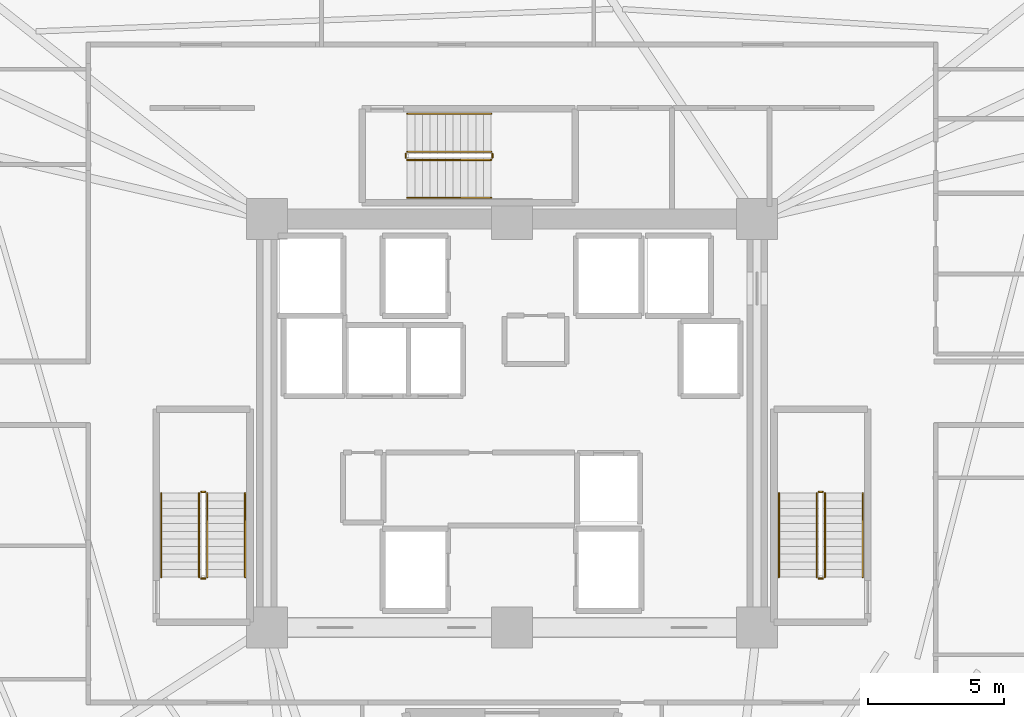
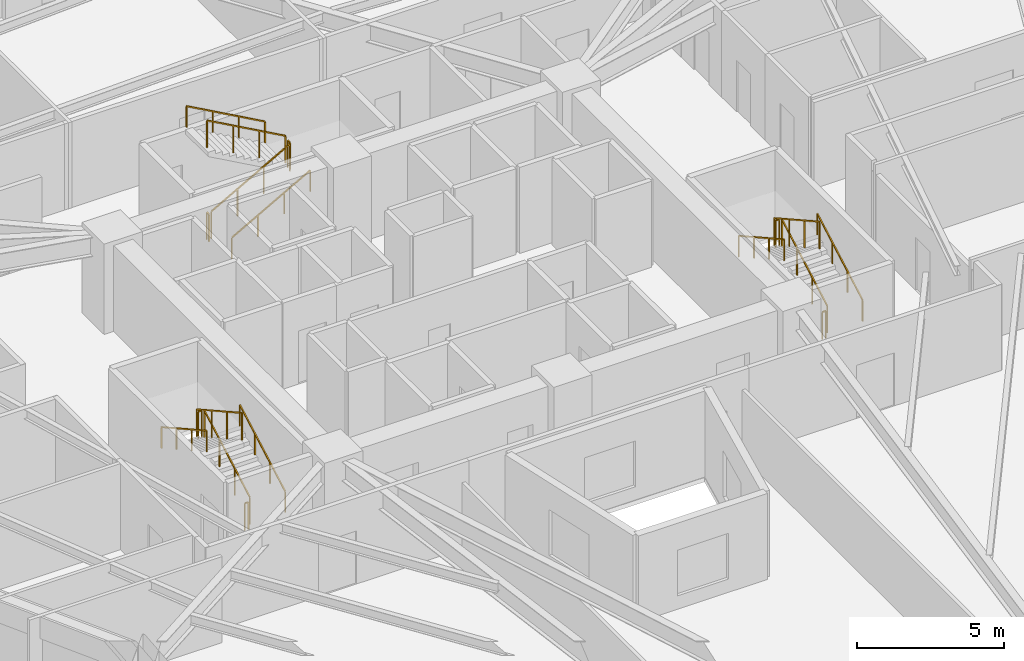
# One storey, part 8 of 8: 18 railings.
"""IFC4 building model written with IfcOpenShell, lengths in metres."""

from ifc_helpers import new_model, si_unit, direction, frame, origin, origin_2d, place, context, subcontext, project, spatial, rectangle, extrude, material, type_object, element, save


model = new_model("IFC4")

# Units and contexts
model_context = context("Model", 3, precision=1e-05, world=origin(), true_north=direction((0.0, 1.0)))
body_context = subcontext(model_context, "Body", "Model", "MODEL_VIEW")
ifc_project = project(units=[si_unit("LENGTHUNIT", "METRE"), si_unit("AREAUNIT", "SQUARE_METRE"), si_unit("VOLUMEUNIT", "CUBIC_METRE"), si_unit("PLANEANGLEUNIT", "RADIAN"), si_unit("MASSUNIT", "GRAM", prefix="KILO")], contexts=[model_context])

# Site, building, storey
site_placement = place(None, origin())
site = spatial("IfcSite", under=ifc_project, at=site_placement, CompositionType="ELEMENT")
building_placement = place(site_placement, origin())
building = spatial("IfcBuilding", under=site, at=building_placement, Name="Liaohun Quay Tower", CompositionType="ELEMENT")
storey_placement = place(building_placement, frame((0.0, 0.0, 177.75)))
storey = spatial("IfcBuildingStorey", under=building, at=storey_placement, Name="L46", CompositionType="ELEMENT", Elevation=177.75)

# Railings
ifc_material_1 = material(Name="Painted tubular steel", Category="steel")
railing_type_1 = type_object("IfcRailingType", Name="RLG-GUARD-STR", PredefinedType="GUARDRAIL", material=ifc_material_1)
railing_1_placement = place(storey_placement, frame((48.81005859375, 48.35009765625, 0.15625)))
element("IfcRailing", 1, at=railing_1_placement, inside=storey, type_object=railing_type_1, Name="L46 ST-1 stair guard 1", PredefinedType="GUARDRAIL", context=body_context, shape_type="SweptSolid", body=[
    extrude(rectangle(XDim=0.048095703125, YDim=0.048095703125, at=origin_2d()), frame((0.0, 0.0, 1.1259765625), z_axis=(0.0, 0.873225103656, 0.487317061414), x_axis=(-1.0, 0.0, 0.0)), (0.0, 0.0, 1.0), 3.52685546875),
    extrude(rectangle(XDim=0.0419921875, YDim=0.0419921875, at=origin_2d()), origin(), (0.0, 0.0, 1.0), 1.101806640625),
    extrude(rectangle(XDim=0.0419921875, YDim=0.0419921875, at=origin_2d()), frame((0.0, 1.026611328125, 0.572998046875)), (0.0, 0.0, 1.0), 1.101806640625),
    extrude(rectangle(XDim=0.0419921875, YDim=0.0419921875, at=origin_2d()), frame((0.0, 2.05322265625, 1.145751953125)), (0.0, 0.0, 1.0), 1.101806640625),
    extrude(rectangle(XDim=0.0419921875, YDim=0.0419921875, at=origin_2d()), frame((0.0, 3.079833984375, 1.71875)), (0.0, 0.0, 1.0), 1.101806640625),
])
railing_2_placement = place(storey_placement, frame((48.72998046875, 51.47998046875, 1.875)))
element("IfcRailing", 2, at=railing_2_placement, inside=storey, type_object=railing_type_1, Name="L46 ST-1 stair guard 2", PredefinedType="GUARDRAIL", context=body_context, shape_type="SweptSolid", body=[
    extrude(rectangle(XDim=0.048095703125, YDim=0.048095703125, at=origin_2d()), frame((0.0, 0.0, 1.1259765625), z_axis=(-1.0, 0.0, 0.0), x_axis=(0.0, -1.0, 0.0)), (0.0, 0.0, 1.0), 0.139892578125),
    extrude(rectangle(XDim=0.0419921875, YDim=0.0419921875, at=origin_2d()), origin(), (0.0, 0.0, 1.0), 1.101806640625),
    extrude(rectangle(XDim=0.0419921875, YDim=0.0419921875, at=origin_2d()), frame((-0.139892578125, 0.0, 0.0)), (0.0, 0.0, 1.0), 1.101806640625),
])
railing_3_placement = place(storey_placement, frame((48.510009765625, 51.429931640625, 2.03125)))
element("IfcRailing", 3, at=railing_3_placement, inside=storey, type_object=railing_type_1, Name="L46 ST-1 stair guard 3", PredefinedType="GUARDRAIL", context=body_context, shape_type="SweptSolid", body=[
    extrude(rectangle(XDim=0.048095703125, YDim=0.048095703125, at=origin_2d()), frame((0.0, 0.0, 1.1259765625), z_axis=(0.0, -0.873225103656, 0.487317061414), x_axis=(1.0, 0.0, 0.0)), (0.0, 0.0, 1.0), 3.52685546875),
    extrude(rectangle(XDim=0.0419921875, YDim=0.0419921875, at=origin_2d()), origin(), (0.0, 0.0, 1.0), 1.101806640625),
    extrude(rectangle(XDim=0.0419921875, YDim=0.0419921875, at=origin_2d()), frame((0.0, -1.026611328125, 0.572998046875)), (0.0, 0.0, 1.0), 1.101806640625),
    extrude(rectangle(XDim=0.0419921875, YDim=0.0419921875, at=origin_2d()), frame((0.0, -2.05322265625, 1.145751953125)), (0.0, 0.0, 1.0), 1.101806640625),
    extrude(rectangle(XDim=0.0419921875, YDim=0.0419921875, at=origin_2d()), frame((0.0, -3.079833984375, 1.71875)), (0.0, 0.0, 1.0), 1.101806640625),
])
railing_4_placement = place(storey_placement, frame((48.72998046875, 48.300048828125, 0.0)))
element("IfcRailing", 4, at=railing_4_placement, inside=storey, type_object=railing_type_1, Name="L46 ST-1 stair guard 4", PredefinedType="GUARDRAIL", context=body_context, shape_type="SweptSolid", body=[
    extrude(rectangle(XDim=0.048095703125, YDim=0.048095703125, at=origin_2d()), frame((0.0, 0.0, 1.1259765625), z_axis=(-1.0, 0.0, 0.0), x_axis=(0.0, -1.0, 0.0)), (0.0, 0.0, 1.0), 0.139892578125),
    extrude(rectangle(XDim=0.0419921875, YDim=0.0419921875, at=origin_2d()), origin(), (0.0, 0.0, 1.0), 1.101806640625),
    extrude(rectangle(XDim=0.0419921875, YDim=0.0419921875, at=origin_2d()), frame((-0.139892578125, 0.0, 0.0)), (0.0, 0.0, 1.0), 1.101806640625),
])
railing_5_placement = place(storey_placement, frame((71.489990234375, 48.35009765625, 0.15625)))
element("IfcRailing", 5, at=railing_5_placement, inside=storey, type_object=railing_type_1, Name="L46 ST-2 stair guard 1", PredefinedType="GUARDRAIL", context=body_context, shape_type="SweptSolid", body=[
    extrude(rectangle(XDim=0.048095703125, YDim=0.048095703125, at=origin_2d()), frame((0.0, 0.0, 1.1259765625), z_axis=(0.0, 0.873225103656, 0.487317061414), x_axis=(-1.0, 0.0, 0.0)), (0.0, 0.0, 1.0), 3.52685546875),
    extrude(rectangle(XDim=0.0419921875, YDim=0.0419921875, at=origin_2d()), origin(), (0.0, 0.0, 1.0), 1.101806640625),
    extrude(rectangle(XDim=0.0419921875, YDim=0.0419921875, at=origin_2d()), frame((0.0, 1.026611328125, 0.572998046875)), (0.0, 0.0, 1.0), 1.101806640625),
    extrude(rectangle(XDim=0.0419921875, YDim=0.0419921875, at=origin_2d()), frame((0.0, 2.05322265625, 1.145751953125)), (0.0, 0.0, 1.0), 1.101806640625),
    extrude(rectangle(XDim=0.0419921875, YDim=0.0419921875, at=origin_2d()), frame((0.0, 3.079833984375, 1.71875)), (0.0, 0.0, 1.0), 1.101806640625),
])
railing_6_placement = place(storey_placement, frame((71.409912109375, 51.47998046875, 1.875)))
element("IfcRailing", 6, at=railing_6_placement, inside=storey, type_object=railing_type_1, Name="L46 ST-2 stair guard 2", PredefinedType="GUARDRAIL", context=body_context, shape_type="SweptSolid", body=[
    extrude(rectangle(XDim=0.048095703125, YDim=0.048095703125, at=origin_2d()), frame((0.0, 0.0, 1.1259765625), z_axis=(-1.0, 0.0, 0.0), x_axis=(0.0, -1.0, 0.0)), (0.0, 0.0, 1.0), 0.139892578125),
    extrude(rectangle(XDim=0.0419921875, YDim=0.0419921875, at=origin_2d()), origin(), (0.0, 0.0, 1.0), 1.101806640625),
    extrude(rectangle(XDim=0.0419921875, YDim=0.0419921875, at=origin_2d()), frame((-0.139892578125, 0.0, 0.0)), (0.0, 0.0, 1.0), 1.101806640625),
])
railing_7_placement = place(storey_placement, frame((71.18994140625, 51.429931640625, 2.03125)))
element("IfcRailing", 7, at=railing_7_placement, inside=storey, type_object=railing_type_1, Name="L46 ST-2 stair guard 3", PredefinedType="GUARDRAIL", context=body_context, shape_type="SweptSolid", body=[
    extrude(rectangle(XDim=0.048095703125, YDim=0.048095703125, at=origin_2d()), frame((0.0, 0.0, 1.1259765625), z_axis=(0.0, -0.873225103656, 0.487317061414), x_axis=(1.0, 0.0, 0.0)), (0.0, 0.0, 1.0), 3.52685546875),
    extrude(rectangle(XDim=0.0419921875, YDim=0.0419921875, at=origin_2d()), origin(), (0.0, 0.0, 1.0), 1.101806640625),
    extrude(rectangle(XDim=0.0419921875, YDim=0.0419921875, at=origin_2d()), frame((0.0, -1.026611328125, 0.572998046875)), (0.0, 0.0, 1.0), 1.101806640625),
    extrude(rectangle(XDim=0.0419921875, YDim=0.0419921875, at=origin_2d()), frame((0.0, -2.05322265625, 1.145751953125)), (0.0, 0.0, 1.0), 1.101806640625),
    extrude(rectangle(XDim=0.0419921875, YDim=0.0419921875, at=origin_2d()), frame((0.0, -3.079833984375, 1.71875)), (0.0, 0.0, 1.0), 1.101806640625),
])
railing_8_placement = place(storey_placement, frame((71.409912109375, 48.300048828125, 0.0)))
element("IfcRailing", 8, at=railing_8_placement, inside=storey, type_object=railing_type_1, Name="L46 ST-2 stair guard 4", PredefinedType="GUARDRAIL", context=body_context, shape_type="SweptSolid", body=[
    extrude(rectangle(XDim=0.048095703125, YDim=0.048095703125, at=origin_2d()), frame((0.0, 0.0, 1.1259765625), z_axis=(-1.0, 0.0, 0.0), x_axis=(0.0, -1.0, 0.0)), (0.0, 0.0, 1.0), 0.139892578125),
    extrude(rectangle(XDim=0.0419921875, YDim=0.0419921875, at=origin_2d()), origin(), (0.0, 0.0, 1.0), 1.101806640625),
    extrude(rectangle(XDim=0.0419921875, YDim=0.0419921875, at=origin_2d()), frame((-0.139892578125, 0.0, 0.0)), (0.0, 0.0, 1.0), 1.101806640625),
])
railing_9_placement = place(storey_placement, frame((56.14990234375, 63.669921875, 0.15625)))
element("IfcRailing", 9, at=railing_9_placement, inside=storey, type_object=railing_type_1, Name="L46 ST-3 stair guard 1", PredefinedType="GUARDRAIL", context=body_context, shape_type="SweptSolid", body=[
    extrude(rectangle(XDim=0.048095703125, YDim=0.048095703125, at=origin_2d()), frame((0.0, 0.0, 1.1259765625), z_axis=(0.873241540666, 0.0, 0.487287606713), x_axis=(0.0, 1.0, 0.0)), (0.0, 0.0, 1.0), 3.527099609375),
    extrude(rectangle(XDim=0.0419921875, YDim=0.0419921875, at=origin_2d()), origin(), (0.0, 0.0, 1.0), 1.101806640625),
    extrude(rectangle(XDim=0.0419921875, YDim=0.0419921875, at=origin_2d()), frame((1.026611328125, 0.0, 0.572998046875)), (0.0, 0.0, 1.0), 1.101806640625),
    extrude(rectangle(XDim=0.0419921875, YDim=0.0419921875, at=origin_2d()), frame((2.053466796875, 0.0, 1.145751953125)), (0.0, 0.0, 1.0), 1.101806640625),
    extrude(rectangle(XDim=0.0419921875, YDim=0.0419921875, at=origin_2d()), frame((3.080078125, 0.0, 1.71875)), (0.0, 0.0, 1.0), 1.101806640625),
])
railing_10_placement = place(storey_placement, frame((59.280029296875, 63.75, 1.875)))
element("IfcRailing", 10, at=railing_10_placement, inside=storey, type_object=railing_type_1, Name="L46 ST-3 stair guard 2", PredefinedType="GUARDRAIL", context=body_context, shape_type="SweptSolid", body=[
    extrude(rectangle(XDim=0.048095703125, YDim=0.048095703125, at=origin_2d()), frame((0.0, 0.0, 1.1259765625), z_axis=(0.0, 1.0, 0.0), x_axis=(-1.0, 0.0, 0.0)), (0.0, 0.0, 1.0), 0.139892578125),
    extrude(rectangle(XDim=0.0419921875, YDim=0.0419921875, at=origin_2d()), origin(), (0.0, 0.0, 1.0), 1.101806640625),
    extrude(rectangle(XDim=0.0419921875, YDim=0.0419921875, at=origin_2d()), frame((0.0, 0.139892578125, 0.0)), (0.0, 0.0, 1.0), 1.101806640625),
])
railing_11_placement = place(storey_placement, frame((59.22998046875, 63.969970703125, 2.03125)))
element("IfcRailing", 11, at=railing_11_placement, inside=storey, type_object=railing_type_1, Name="L46 ST-3 stair guard 3", PredefinedType="GUARDRAIL", context=body_context, shape_type="SweptSolid", body=[
    extrude(rectangle(XDim=0.048095703125, YDim=0.048095703125, at=origin_2d()), frame((0.0, 0.0, 1.1259765625), z_axis=(-0.873241540666, 0.0, 0.487287606713), x_axis=(0.0, -1.0, 0.0)), (0.0, 0.0, 1.0), 3.527099609375),
    extrude(rectangle(XDim=0.0419921875, YDim=0.0419921875, at=origin_2d()), origin(), (0.0, 0.0, 1.0), 1.101806640625),
    extrude(rectangle(XDim=0.0419921875, YDim=0.0419921875, at=origin_2d()), frame((-1.026611328125, 0.0, 0.572998046875)), (0.0, 0.0, 1.0), 1.101806640625),
    extrude(rectangle(XDim=0.0419921875, YDim=0.0419921875, at=origin_2d()), frame((-2.053466796875, 0.0, 1.145751953125)), (0.0, 0.0, 1.0), 1.101806640625),
    extrude(rectangle(XDim=0.0419921875, YDim=0.0419921875, at=origin_2d()), frame((-3.080078125, 0.0, 1.71875)), (0.0, 0.0, 1.0), 1.101806640625),
])
railing_12_placement = place(storey_placement, frame((56.10009765625, 63.75, 0.0)))
element("IfcRailing", 12, at=railing_12_placement, inside=storey, type_object=railing_type_1, Name="L46 ST-3 stair guard 4", PredefinedType="GUARDRAIL", context=body_context, shape_type="SweptSolid", body=[
    extrude(rectangle(XDim=0.048095703125, YDim=0.048095703125, at=origin_2d()), frame((0.0, 0.0, 1.1259765625), z_axis=(0.0, 1.0, 0.0), x_axis=(-1.0, 0.0, 0.0)), (0.0, 0.0, 1.0), 0.139892578125),
    extrude(rectangle(XDim=0.0419921875, YDim=0.0419921875, at=origin_2d()), origin(), (0.0, 0.0, 1.0), 1.101806640625),
    extrude(rectangle(XDim=0.0419921875, YDim=0.0419921875, at=origin_2d()), frame((0.0, 0.139892578125, 0.0)), (0.0, 0.0, 1.0), 1.101806640625),
])
ifc_material_2 = material(Name="Brushed stainless steel", Category="steel")
railing_type_2 = type_object("IfcRailingType", Name="RLG-HND-STR", PredefinedType="HANDRAIL", material=ifc_material_2)
railing_13_placement = place(storey_placement, frame((50.199951171875, 48.35009765625, 0.15625)))
element("IfcRailing", 13, at=railing_13_placement, inside=storey, type_object=railing_type_2, Name="L46 ST-1 stair handrail 1", PredefinedType="HANDRAIL", context=body_context, shape_type="SweptSolid", body=[
    extrude(rectangle(XDim=0.048095703125, YDim=0.048095703125, at=origin_2d()), frame((0.0, 0.0, 0.8759765625), z_axis=(0.0, 0.873225103656, 0.487317061414), x_axis=(-1.0, 0.0, 0.0)), (0.0, 0.0, 1.0), 3.52685546875),
    extrude(rectangle(XDim=0.0419921875, YDim=0.0419921875, at=origin_2d()), origin(), (0.0, 0.0, 1.0), 0.851806640625),
    extrude(rectangle(XDim=0.0419921875, YDim=0.0419921875, at=origin_2d()), frame((0.0, 1.026611328125, 0.572998046875)), (0.0, 0.0, 1.0), 0.851806640625),
    extrude(rectangle(XDim=0.0419921875, YDim=0.0419921875, at=origin_2d()), frame((0.0, 2.05322265625, 1.145751953125)), (0.0, 0.0, 1.0), 0.851806640625),
    extrude(rectangle(XDim=0.0419921875, YDim=0.0419921875, at=origin_2d()), frame((0.0, 3.079833984375, 1.71875)), (0.0, 0.0, 1.0), 0.851806640625),
])
railing_14_placement = place(storey_placement, frame((47.1201171875, 51.429931640625, 2.03125)))
element("IfcRailing", 14, at=railing_14_placement, inside=storey, type_object=railing_type_2, Name="L46 ST-1 stair handrail 2", PredefinedType="HANDRAIL", context=body_context, shape_type="SweptSolid", body=[
    extrude(rectangle(XDim=0.048095703125, YDim=0.048095703125, at=origin_2d()), frame((0.0, 0.0, 0.8759765625), z_axis=(0.0, -0.873225103656, 0.487317061414), x_axis=(1.0, 0.0, 0.0)), (0.0, 0.0, 1.0), 3.52685546875),
    extrude(rectangle(XDim=0.0419921875, YDim=0.0419921875, at=origin_2d()), origin(), (0.0, 0.0, 1.0), 0.851806640625),
    extrude(rectangle(XDim=0.0419921875, YDim=0.0419921875, at=origin_2d()), frame((0.0, -1.026611328125, 0.572998046875)), (0.0, 0.0, 1.0), 0.851806640625),
    extrude(rectangle(XDim=0.0419921875, YDim=0.0419921875, at=origin_2d()), frame((0.0, -2.05322265625, 1.145751953125)), (0.0, 0.0, 1.0), 0.851806640625),
    extrude(rectangle(XDim=0.0419921875, YDim=0.0419921875, at=origin_2d()), frame((0.0, -3.079833984375, 1.71875)), (0.0, 0.0, 1.0), 0.851806640625),
])
railing_15_placement = place(storey_placement, frame((72.8798828125, 48.35009765625, 0.15625)))
element("IfcRailing", 15, at=railing_15_placement, inside=storey, type_object=railing_type_2, Name="L46 ST-2 stair handrail 1", PredefinedType="HANDRAIL", context=body_context, shape_type="SweptSolid", body=[
    extrude(rectangle(XDim=0.048095703125, YDim=0.048095703125, at=origin_2d()), frame((0.0, 0.0, 0.8759765625), z_axis=(0.0, 0.873225103656, 0.487317061414), x_axis=(-1.0, 0.0, 0.0)), (0.0, 0.0, 1.0), 3.52685546875),
    extrude(rectangle(XDim=0.0419921875, YDim=0.0419921875, at=origin_2d()), origin(), (0.0, 0.0, 1.0), 0.851806640625),
    extrude(rectangle(XDim=0.0419921875, YDim=0.0419921875, at=origin_2d()), frame((0.0, 1.026611328125, 0.572998046875)), (0.0, 0.0, 1.0), 0.851806640625),
    extrude(rectangle(XDim=0.0419921875, YDim=0.0419921875, at=origin_2d()), frame((0.0, 2.05322265625, 1.145751953125)), (0.0, 0.0, 1.0), 0.851806640625),
    extrude(rectangle(XDim=0.0419921875, YDim=0.0419921875, at=origin_2d()), frame((0.0, 3.079833984375, 1.71875)), (0.0, 0.0, 1.0), 0.851806640625),
])
railing_16_placement = place(storey_placement, frame((69.800048828125, 51.429931640625, 2.03125)))
element("IfcRailing", 16, at=railing_16_placement, inside=storey, type_object=railing_type_2, Name="L46 ST-2 stair handrail 2", PredefinedType="HANDRAIL", context=body_context, shape_type="SweptSolid", body=[
    extrude(rectangle(XDim=0.048095703125, YDim=0.048095703125, at=origin_2d()), frame((0.0, 0.0, 0.8759765625), z_axis=(0.0, -0.873225103656, 0.487317061414), x_axis=(1.0, 0.0, 0.0)), (0.0, 0.0, 1.0), 3.52685546875),
    extrude(rectangle(XDim=0.0419921875, YDim=0.0419921875, at=origin_2d()), origin(), (0.0, 0.0, 1.0), 0.851806640625),
    extrude(rectangle(XDim=0.0419921875, YDim=0.0419921875, at=origin_2d()), frame((0.0, -1.026611328125, 0.572998046875)), (0.0, 0.0, 1.0), 0.851806640625),
    extrude(rectangle(XDim=0.0419921875, YDim=0.0419921875, at=origin_2d()), frame((0.0, -2.05322265625, 1.145751953125)), (0.0, 0.0, 1.0), 0.851806640625),
    extrude(rectangle(XDim=0.0419921875, YDim=0.0419921875, at=origin_2d()), frame((0.0, -3.079833984375, 1.71875)), (0.0, 0.0, 1.0), 0.851806640625),
])
railing_17_placement = place(storey_placement, frame((56.14990234375, 62.280029296875, 0.15625)))
element("IfcRailing", 17, at=railing_17_placement, inside=storey, type_object=railing_type_2, Name="L46 ST-3 stair handrail 1", PredefinedType="HANDRAIL", context=body_context, shape_type="SweptSolid", body=[
    extrude(rectangle(XDim=0.048095703125, YDim=0.048095703125, at=origin_2d()), frame((0.0, 0.0, 0.8759765625), z_axis=(0.873241540666, 0.0, 0.487287606713), x_axis=(0.0, 1.0, 0.0)), (0.0, 0.0, 1.0), 3.527099609375),
    extrude(rectangle(XDim=0.0419921875, YDim=0.0419921875, at=origin_2d()), origin(), (0.0, 0.0, 1.0), 0.851806640625),
    extrude(rectangle(XDim=0.0419921875, YDim=0.0419921875, at=origin_2d()), frame((1.026611328125, 0.0, 0.572998046875)), (0.0, 0.0, 1.0), 0.851806640625),
    extrude(rectangle(XDim=0.0419921875, YDim=0.0419921875, at=origin_2d()), frame((2.053466796875, 0.0, 1.145751953125)), (0.0, 0.0, 1.0), 0.851806640625),
    extrude(rectangle(XDim=0.0419921875, YDim=0.0419921875, at=origin_2d()), frame((3.080078125, 0.0, 1.71875)), (0.0, 0.0, 1.0), 0.851806640625),
])
railing_18_placement = place(storey_placement, frame((59.22998046875, 65.360107421875, 2.03125)))
element("IfcRailing", 18, at=railing_18_placement, inside=storey, type_object=railing_type_2, Name="L46 ST-3 stair handrail 2", PredefinedType="HANDRAIL", context=body_context, shape_type="SweptSolid", body=[
    extrude(rectangle(XDim=0.048095703125, YDim=0.048095703125, at=origin_2d()), frame((0.0, 0.0, 0.8759765625), z_axis=(-0.873241540666, 0.0, 0.487287606713), x_axis=(0.0, -1.0, 0.0)), (0.0, 0.0, 1.0), 3.527099609375),
    extrude(rectangle(XDim=0.0419921875, YDim=0.0419921875, at=origin_2d()), origin(), (0.0, 0.0, 1.0), 0.851806640625),
    extrude(rectangle(XDim=0.0419921875, YDim=0.0419921875, at=origin_2d()), frame((-1.026611328125, 0.0, 0.572998046875)), (0.0, 0.0, 1.0), 0.851806640625),
    extrude(rectangle(XDim=0.0419921875, YDim=0.0419921875, at=origin_2d()), frame((-2.053466796875, 0.0, 1.145751953125)), (0.0, 0.0, 1.0), 0.851806640625),
    extrude(rectangle(XDim=0.0419921875, YDim=0.0419921875, at=origin_2d()), frame((-3.080078125, 0.0, 1.71875)), (0.0, 0.0, 1.0), 0.851806640625),
])

save(model, "model.ifc")
